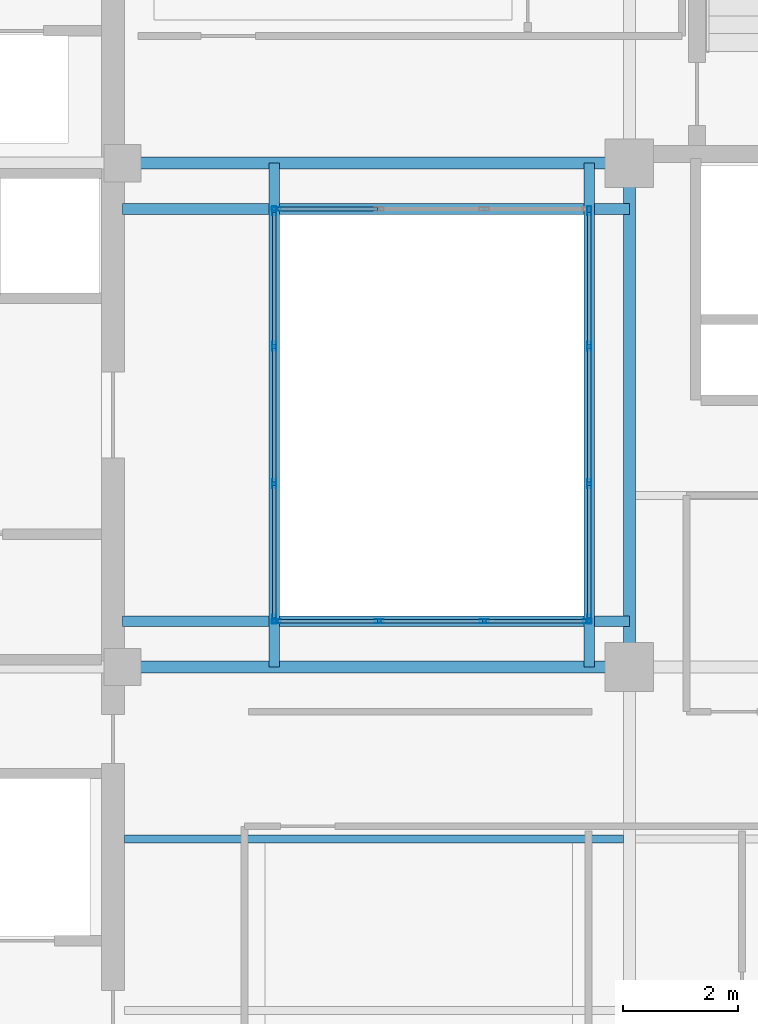
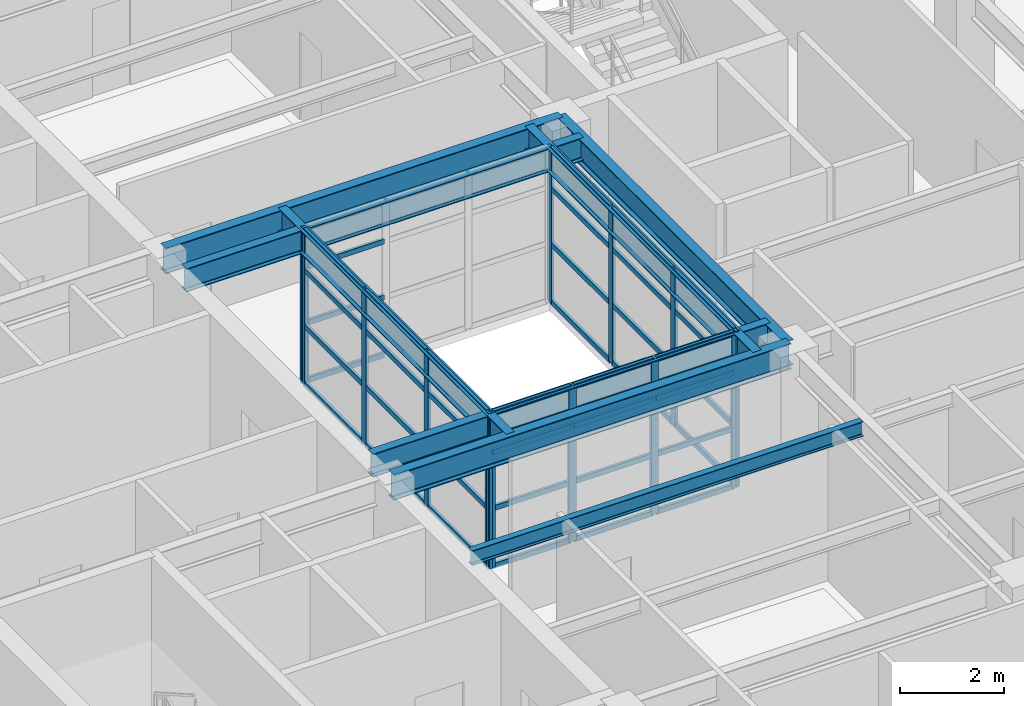
# One storey, part 2 of 15: 52 members, 8 beams, 4 elements without a shape of their own.
"""IFC4 building model written with IfcOpenShell, lengths in metres."""

from ifc_helpers import new_model, si_unit, direction, frame, origin, origin_2d, place, context, subcontext, project, spatial, hollow_rectangle, i_section, extrude, material, layer, layer_set, material_profile, profile_set, type_object, element, aggregate, save


model = new_model("IFC4")

# Units and contexts
model_context = context("Model", 3, precision=1e-05, world=origin(), true_north=direction((0.0, 1.0)))
body_context = subcontext(model_context, "Body", "Model", "MODEL_VIEW")
ifc_project = project(units=[si_unit("LENGTHUNIT", "METRE"), si_unit("AREAUNIT", "SQUARE_METRE"), si_unit("VOLUMEUNIT", "CUBIC_METRE"), si_unit("PLANEANGLEUNIT", "RADIAN"), si_unit("MASSUNIT", "GRAM", prefix="KILO")], contexts=[model_context])

# Site, building, storey
site_placement = place(None, origin())
site = spatial("IfcSite", under=ifc_project, at=site_placement, CompositionType="ELEMENT")
building_placement = place(site_placement, origin())
building = spatial("IfcBuilding", under=site, at=building_placement, Name="Kundavana Baori Tower", CompositionType="ELEMENT")
storey_placement = place(building_placement, frame((0.0, 0.0, 214.10009765625)))
storey = spatial("IfcBuildingStorey", under=building, at=storey_placement, Name="L52", CompositionType="ELEMENT", Elevation=214.10009765625)

# Beams
ifc_material_1 = material(Name="Structural Steel S355JR", Category="steel")
ifc_material_profile_1 = material_profile(ifc_material_1, i_section(OverallWidth=0.139892578125, OverallDepth=0.35009765625, WebThickness=0.008056640625, FlangeThickness=0.01416015625, FilletRadius=0.013916015625, at=origin_2d()), Name="ISMB 350")
ifc_profile_set_1 = profile_set([ifc_material_profile_1], Name="Structural Steel S355JR")
beam_type_1 = type_object("IfcBeamType", Name="BM-JST-350", PredefinedType="JOIST", material=ifc_profile_set_1)
beam_1_placement = place(storey_placement, frame((24.97998046875, 21.199951171875, 3.48486328125), z_axis=(1.0, 0.0, 0.0), x_axis=(0.0, 1.0, 0.0)))
element("IfcBeam", 1, at=beam_1_placement, inside=storey, type_object=beam_type_1, Name="L52 Central Bay Composite Floor Joist C2", PredefinedType="JOIST", context=body_context, shape_type="SweptSolid", body=[
    extrude(i_section(OverallWidth=0.139892578125, OverallDepth=0.35009765625, WebThickness=0.008056640625, FlangeThickness=0.01416015625, FilletRadius=0.013916015625, at=origin_2d()), origin(), (0.0, 0.0, 1.0), 8.715087890625),
])
ifc_material_2 = material(Name="Structural Steel S355JR", Category="steel")
ifc_material_profile_2 = material_profile(ifc_material_2, i_section(OverallWidth=0.18994140625, OverallDepth=0.550048828125, WebThickness=0.01123046875, FlangeThickness=0.019287109375, FilletRadius=0.01806640625, at=origin_2d()), Name="ISMB 550")
ifc_profile_set_2 = profile_set([ifc_material_profile_2], Name="Structural Steel S355JR")
beam_type_2 = type_object("IfcBeamType", Name="BM-ST-550", PredefinedType="BEAM", material=ifc_profile_set_2)
for number, where, z_axis, x_axis, name in (
    (2, (27.60009765625, 24.199951171875, 3.385009765625), (0.0, 1.0, 0.0), (-1.0, 0.0, 0.0), "L52 Atrium West Edge Beam"),
    (3, (33.10009765625, 24.199951171875, 3.385009765625), (0.0, 1.0, 0.0), (-1.0, 0.0, 0.0), "L52 Atrium East Edge Beam"),
):
    element("IfcBeam", number, at=place(storey_placement, frame(where, z_axis=z_axis, x_axis=x_axis)), inside=storey, type_object=beam_type_2, Name=name, PredefinedType="BEAM", context=body_context, shape_type="SweptSolid", body=[
        extrude(i_section(OverallWidth=0.18994140625, OverallDepth=0.550048828125, WebThickness=0.01123046875, FlangeThickness=0.019287109375, FilletRadius=0.01806640625, at=origin_2d()), origin(), (0.0, 0.0, 1.0), 8.800048828125),
    ])
for number, where, z_axis, x_axis, name in (
    (4, (24.949951171875, 25.0, 3.385009765625), (1.0, 0.0, 0.0), (0.0, 1.0, 0.0), "L52 Atrium South Edge Beam"),
    (5, (24.949951171875, 32.199951171875, 3.385009765625), (1.0, 0.0, 0.0), (0.0, 1.0, 0.0), "L52 Atrium North Edge Beam"),
):
    element("IfcBeam", number, at=place(storey_placement, frame(where, z_axis=z_axis, x_axis=x_axis)), inside=storey, type_object=beam_type_2, Name=name, PredefinedType="BEAM", context=body_context, shape_type="SweptSolid", body=[
        extrude(i_section(OverallWidth=0.18994140625, OverallDepth=0.550048828125, WebThickness=0.01123046875, FlangeThickness=0.019287109375, FilletRadius=0.01806640625, at=origin_2d()), origin(), (0.0, 0.0, 1.0), 8.85009765625),
    ])
ifc_material_3 = material(Name="Structural Steel S355JR", Category="steel")
ifc_material_profile_3 = material_profile(ifc_material_3, i_section(OverallWidth=0.2099609375, OverallDepth=0.60009765625, WebThickness=0.011962890625, FlangeThickness=0.020751953125, FilletRadius=0.02001953125, at=origin_2d()), Name="ISMB 600")
ifc_profile_set_3 = profile_set([ifc_material_profile_3], Name="Structural Steel S355JR")
beam_type_3 = type_object("IfcBeamType", Name="BM-ST-600", PredefinedType="BEAM", material=ifc_profile_set_3)
for number, where, z_axis, x_axis, name in (
    (6, (24.949951171875, 24.199951171875, 3.35986328125), (1.0, 0.0, 0.0), (0.0, 1.0, 0.0), "L52 Primary Grid Girder GX-2-2"),
    (7, (24.949951171875, 33.0, 3.35986328125), (1.0, 0.0, 0.0), (0.0, 1.0, 0.0), "L52 Primary Grid Girder GX-3-2"),
):
    element("IfcBeam", number, at=place(storey_placement, frame(where, z_axis=z_axis, x_axis=x_axis)), inside=storey, type_object=beam_type_3, Name=name, PredefinedType="BEAM", context=body_context, shape_type="SweptSolid", body=[
        extrude(i_section(OverallWidth=0.2099609375, OverallDepth=0.60009765625, WebThickness=0.011962890625, FlangeThickness=0.020751953125, FilletRadius=0.02001953125, at=origin_2d()), origin(), (0.0, 0.0, 1.0), 8.85009765625),
    ])
beam_2_placement = place(storey_placement, frame((33.800048828125, 24.199951171875, 3.35986328125), z_axis=(0.0, 1.0, 0.0), x_axis=(-1.0, 0.0, 0.0)))
element("IfcBeam", 8, at=beam_2_placement, inside=storey, type_object=beam_type_3, Name="L52 Primary Grid Girder GY-3-2", PredefinedType="BEAM", context=body_context, shape_type="SweptSolid", body=[
    extrude(i_section(OverallWidth=0.2099609375, OverallDepth=0.60009765625, WebThickness=0.011962890625, FlangeThickness=0.020751953125, FilletRadius=0.02001953125, at=origin_2d()), origin(), (0.0, 0.0, 1.0), 8.800048828125),
])

# Curtain wall, members
ifc_material_4 = material(Name="Thermally Broken Anodised Aluminium Framing", Category="aluminium")
ifc_layer = layer(ifc_material_4, 0.219970703125, Name="CW-SYS-5")
ifc_layer_set = layer_set([ifc_layer], Name="Thermally Broken Anodised Aluminium Framing")
curtain_wall_type = type_object("IfcCurtainWallType", Name="CW-SYS-5", PredefinedType="NOTDEFINED", material=ifc_layer_set)
curtain_wall_1_placement = place(storey_placement, origin())
curtain_wall_1 = element("IfcCurtainWall", 9, at=curtain_wall_1_placement, inside=storey, type_object=curtain_wall_type, Name="L52 Atrium Glazed Curtain Wall S", PredefinedType="NOTDEFINED")
ifc_material_5 = material(Name="Thermally Broken Anodised Aluminium Framing", Category="aluminium")
ifc_material_profile_4 = material_profile(ifc_material_5, hollow_rectangle(XDim=0.06494140625, YDim=0.159912109375, WallThickness=0.00390625, at=origin_2d()), Name="CW-MULL-160")
ifc_profile_set_4 = profile_set([ifc_material_profile_4], Name="Thermally Broken Anodised Aluminium Framing")
member_type_1 = type_object("IfcMemberType", Name="CW-MULL-160", PredefinedType="MULLION", material=ifc_profile_set_4)
member_1_placement = place(storey_placement, frame((27.632568359375, 25.0, 0.0), z_axis=(0.0, 0.0, 1.0), x_axis=(0.0, 1.0, 0.0)))
member_1 = element("IfcMember", 10, at=member_1_placement, type_object=member_type_1, Name="CW5 mullion 1", PredefinedType="MULLION", context=body_context, shape_type="SweptSolid", body=[
    extrude(hollow_rectangle(XDim=0.06494140625, YDim=0.159912109375, WallThickness=0.00390625, at=origin_2d()), origin(), (0.0, 0.0, 1.0), 3.659912109375),
])
member_2_placement = place(storey_placement, frame((29.433349609375, 25.0, 0.0), z_axis=(0.0, 0.0, 1.0), x_axis=(0.0, 1.0, 0.0)))
member_2 = element("IfcMember", 11, at=member_2_placement, type_object=member_type_1, Name="CW5 mullion 2", PredefinedType="MULLION", context=body_context, shape_type="SweptSolid", body=[
    extrude(hollow_rectangle(XDim=0.06494140625, YDim=0.159912109375, WallThickness=0.00390625, at=origin_2d()), origin(), (0.0, 0.0, 1.0), 3.659912109375),
])
member_3_placement = place(storey_placement, frame((31.2666015625, 25.0, 0.0), z_axis=(0.0, 0.0, 1.0), x_axis=(0.0, 1.0, 0.0)))
member_3 = element("IfcMember", 12, at=member_3_placement, type_object=member_type_1, Name="CW5 mullion 3", PredefinedType="MULLION", context=body_context, shape_type="SweptSolid", body=[
    extrude(hollow_rectangle(XDim=0.06494140625, YDim=0.159912109375, WallThickness=0.00390625, at=origin_2d()), origin(), (0.0, 0.0, 1.0), 3.659912109375),
])
member_4_placement = place(storey_placement, frame((33.0673828125, 25.0, 0.0), z_axis=(0.0, 0.0, 1.0), x_axis=(0.0, 1.0, 0.0)))
member_4 = element("IfcMember", 13, at=member_4_placement, type_object=member_type_1, Name="CW5 mullion 4", PredefinedType="MULLION", context=body_context, shape_type="SweptSolid", body=[
    extrude(hollow_rectangle(XDim=0.06494140625, YDim=0.159912109375, WallThickness=0.00390625, at=origin_2d()), origin(), (0.0, 0.0, 1.0), 3.659912109375),
])

curtain_wall_2_placement = place(storey_placement, origin())
curtain_wall_2 = element("IfcCurtainWall", 14, at=curtain_wall_2_placement, inside=storey, type_object=curtain_wall_type, Name="L52 Atrium Glazed Curtain Wall E", PredefinedType="NOTDEFINED")
member_5_placement = place(storey_placement, frame((33.10009765625, 25.032470703125, 0.0), z_axis=(0.0, 0.0, 1.0), x_axis=(-1.0, 0.0, 0.0)))
member_5 = element("IfcMember", 15, at=member_5_placement, type_object=member_type_1, Name="CW5 mullion 1", PredefinedType="MULLION", context=body_context, shape_type="SweptSolid", body=[
    extrude(hollow_rectangle(XDim=0.06494140625, YDim=0.159912109375, WallThickness=0.00390625, at=origin_2d()), origin(), (0.0, 0.0, 1.0), 3.659912109375),
])
member_6_placement = place(storey_placement, frame((33.10009765625, 27.39990234375, 0.0), z_axis=(0.0, 0.0, 1.0), x_axis=(-1.0, 0.0, 0.0)))
member_6 = element("IfcMember", 16, at=member_6_placement, type_object=member_type_1, Name="CW5 mullion 2", PredefinedType="MULLION", context=body_context, shape_type="SweptSolid", body=[
    extrude(hollow_rectangle(XDim=0.06494140625, YDim=0.159912109375, WallThickness=0.00390625, at=origin_2d()), origin(), (0.0, 0.0, 1.0), 3.659912109375),
])
member_7_placement = place(storey_placement, frame((33.10009765625, 29.800048828125, 0.0), z_axis=(0.0, 0.0, 1.0), x_axis=(-1.0, 0.0, 0.0)))
member_7 = element("IfcMember", 17, at=member_7_placement, type_object=member_type_1, Name="CW5 mullion 3", PredefinedType="MULLION", context=body_context, shape_type="SweptSolid", body=[
    extrude(hollow_rectangle(XDim=0.06494140625, YDim=0.159912109375, WallThickness=0.00390625, at=origin_2d()), origin(), (0.0, 0.0, 1.0), 3.659912109375),
])
member_8_placement = place(storey_placement, frame((33.10009765625, 32.16748046875, 0.0), z_axis=(0.0, 0.0, 1.0), x_axis=(-1.0, 0.0, 0.0)))
member_8 = element("IfcMember", 18, at=member_8_placement, type_object=member_type_1, Name="CW5 mullion 4", PredefinedType="MULLION", context=body_context, shape_type="SweptSolid", body=[
    extrude(hollow_rectangle(XDim=0.06494140625, YDim=0.159912109375, WallThickness=0.00390625, at=origin_2d()), origin(), (0.0, 0.0, 1.0), 3.659912109375),
])

# Curtain wall, member
curtain_wall_3_placement = place(storey_placement, origin())
curtain_wall_3 = element("IfcCurtainWall", 19, at=curtain_wall_3_placement, inside=storey, type_object=curtain_wall_type, Name="L52 Atrium Glazed Curtain Wall N", PredefinedType="NOTDEFINED")
member_9_placement = place(storey_placement, frame((27.632568359375, 32.199951171875, 0.0), z_axis=(0.0, 0.0, 1.0), x_axis=(0.0, -1.0, 0.0)))
member_9 = element("IfcMember", 20, at=member_9_placement, type_object=member_type_1, Name="CW5 mullion 4", PredefinedType="MULLION", context=body_context, shape_type="SweptSolid", body=[
    extrude(hollow_rectangle(XDim=0.06494140625, YDim=0.159912109375, WallThickness=0.00390625, at=origin_2d()), origin(), (0.0, 0.0, 1.0), 3.659912109375),
])

# Curtain wall, members
curtain_wall_4_placement = place(storey_placement, origin())
curtain_wall_4 = element("IfcCurtainWall", 21, at=curtain_wall_4_placement, inside=storey, type_object=curtain_wall_type, Name="L52 Atrium Glazed Curtain Wall W", PredefinedType="NOTDEFINED")
member_10_placement = place(storey_placement, frame((27.60009765625, 32.16748046875, 0.0), z_axis=(0.0, 0.0, 1.0), x_axis=(1.0, 0.0, 0.0)))
member_10 = element("IfcMember", 22, at=member_10_placement, type_object=member_type_1, Name="CW5 mullion 1", PredefinedType="MULLION", context=body_context, shape_type="SweptSolid", body=[
    extrude(hollow_rectangle(XDim=0.06494140625, YDim=0.159912109375, WallThickness=0.00390625, at=origin_2d()), origin(), (0.0, 0.0, 1.0), 3.659912109375),
])
member_11_placement = place(storey_placement, frame((27.60009765625, 29.800048828125, 0.0), z_axis=(0.0, 0.0, 1.0), x_axis=(1.0, 0.0, 0.0)))
member_11 = element("IfcMember", 23, at=member_11_placement, type_object=member_type_1, Name="CW5 mullion 2", PredefinedType="MULLION", context=body_context, shape_type="SweptSolid", body=[
    extrude(hollow_rectangle(XDim=0.06494140625, YDim=0.159912109375, WallThickness=0.00390625, at=origin_2d()), origin(), (0.0, 0.0, 1.0), 3.659912109375),
])
member_12_placement = place(storey_placement, frame((27.60009765625, 27.39990234375, 0.0), z_axis=(0.0, 0.0, 1.0), x_axis=(1.0, 0.0, 0.0)))
member_12 = element("IfcMember", 24, at=member_12_placement, type_object=member_type_1, Name="CW5 mullion 3", PredefinedType="MULLION", context=body_context, shape_type="SweptSolid", body=[
    extrude(hollow_rectangle(XDim=0.06494140625, YDim=0.159912109375, WallThickness=0.00390625, at=origin_2d()), origin(), (0.0, 0.0, 1.0), 3.659912109375),
])
member_13_placement = place(storey_placement, frame((27.60009765625, 25.032470703125, 0.0), z_axis=(0.0, 0.0, 1.0), x_axis=(1.0, 0.0, 0.0)))
member_13 = element("IfcMember", 25, at=member_13_placement, type_object=member_type_1, Name="CW5 mullion 4", PredefinedType="MULLION", context=body_context, shape_type="SweptSolid", body=[
    extrude(hollow_rectangle(XDim=0.06494140625, YDim=0.159912109375, WallThickness=0.00390625, at=origin_2d()), origin(), (0.0, 0.0, 1.0), 3.659912109375),
])

# Member
ifc_material_6 = material(Name="Thermally Broken Anodised Aluminium Framing", Category="aluminium")
ifc_material_profile_5 = material_profile(ifc_material_6, hollow_rectangle(XDim=0.06494140625, YDim=0.1201171875, WallThickness=0.00390625, at=origin_2d()), Name="CW-TRAN-120")
ifc_profile_set_5 = profile_set([ifc_material_profile_5], Name="Thermally Broken Anodised Aluminium Framing")
member_type_2 = type_object("IfcMemberType", Name="CW-TRAN-120", PredefinedType="USERDEFINED", material=ifc_profile_set_5)
member_14_placement = place(storey_placement, frame((27.6650390625, 25.0, 0.032470703125), z_axis=(1.0, 0.0, 0.0), x_axis=(0.0, 1.0, 0.0)))
member_14 = element("IfcMember", 26, at=member_14_placement, type_object=member_type_2, Name="CW5 transom 1.1", ObjectType="TRANSOM", PredefinedType="USERDEFINED", context=body_context, shape_type="SweptSolid", body=[
    extrude(hollow_rectangle(XDim=0.06494140625, YDim=0.1201171875, WallThickness=0.00390625, at=origin_2d()), origin(), (0.0, 0.0, 1.0), 1.73583984375),
])

member_15_placement = place(storey_placement, frame((27.6650390625, 25.0, 1.390625), z_axis=(1.0, 0.0, 0.0), x_axis=(0.0, 1.0, 0.0)))
member_15 = element("IfcMember", 27, at=member_15_placement, type_object=member_type_2, Name="CW5 transom 1.2", ObjectType="TRANSOM", PredefinedType="USERDEFINED", context=body_context, shape_type="SweptSolid", body=[
    extrude(hollow_rectangle(XDim=0.06494140625, YDim=0.1201171875, WallThickness=0.00390625, at=origin_2d()), origin(), (0.0, 0.0, 1.0), 1.73583984375),
])

member_16_placement = place(storey_placement, frame((27.6650390625, 25.0, 2.708251953125), z_axis=(1.0, 0.0, 0.0), x_axis=(0.0, 1.0, 0.0)))
member_16 = element("IfcMember", 28, at=member_16_placement, type_object=member_type_2, Name="CW5 transom 1.3", ObjectType="TRANSOM", PredefinedType="USERDEFINED", context=body_context, shape_type="SweptSolid", body=[
    extrude(hollow_rectangle(XDim=0.06494140625, YDim=0.1201171875, WallThickness=0.00390625, at=origin_2d()), origin(), (0.0, 0.0, 1.0), 1.73583984375),
])

member_17_placement = place(storey_placement, frame((27.6650390625, 25.0, 3.62744140625), z_axis=(1.0, 0.0, 0.0), x_axis=(0.0, 1.0, 0.0)))
member_17 = element("IfcMember", 29, at=member_17_placement, type_object=member_type_2, Name="CW5 transom 1.4", ObjectType="TRANSOM", PredefinedType="USERDEFINED", context=body_context, shape_type="SweptSolid", body=[
    extrude(hollow_rectangle(XDim=0.06494140625, YDim=0.1201171875, WallThickness=0.00390625, at=origin_2d()), origin(), (0.0, 0.0, 1.0), 1.73583984375),
])

member_18_placement = place(storey_placement, frame((29.4658203125, 25.0, 0.032470703125), z_axis=(1.0, 0.0, 0.0), x_axis=(0.0, 1.0, 0.0)))
member_18 = element("IfcMember", 30, at=member_18_placement, type_object=member_type_2, Name="CW5 transom 2.1", ObjectType="TRANSOM", PredefinedType="USERDEFINED", context=body_context, shape_type="SweptSolid", body=[
    extrude(hollow_rectangle(XDim=0.06494140625, YDim=0.1201171875, WallThickness=0.00390625, at=origin_2d()), origin(), (0.0, 0.0, 1.0), 1.768310546875),
])

member_19_placement = place(storey_placement, frame((29.4658203125, 25.0, 1.390625), z_axis=(1.0, 0.0, 0.0), x_axis=(0.0, 1.0, 0.0)))
member_19 = element("IfcMember", 31, at=member_19_placement, type_object=member_type_2, Name="CW5 transom 2.2", ObjectType="TRANSOM", PredefinedType="USERDEFINED", context=body_context, shape_type="SweptSolid", body=[
    extrude(hollow_rectangle(XDim=0.06494140625, YDim=0.1201171875, WallThickness=0.00390625, at=origin_2d()), origin(), (0.0, 0.0, 1.0), 1.768310546875),
])

member_20_placement = place(storey_placement, frame((29.4658203125, 25.0, 2.708251953125), z_axis=(1.0, 0.0, 0.0), x_axis=(0.0, 1.0, 0.0)))
member_20 = element("IfcMember", 32, at=member_20_placement, type_object=member_type_2, Name="CW5 transom 2.3", ObjectType="TRANSOM", PredefinedType="USERDEFINED", context=body_context, shape_type="SweptSolid", body=[
    extrude(hollow_rectangle(XDim=0.06494140625, YDim=0.1201171875, WallThickness=0.00390625, at=origin_2d()), origin(), (0.0, 0.0, 1.0), 1.768310546875),
])

member_21_placement = place(storey_placement, frame((29.4658203125, 25.0, 3.62744140625), z_axis=(1.0, 0.0, 0.0), x_axis=(0.0, 1.0, 0.0)))
member_21 = element("IfcMember", 33, at=member_21_placement, type_object=member_type_2, Name="CW5 transom 2.4", ObjectType="TRANSOM", PredefinedType="USERDEFINED", context=body_context, shape_type="SweptSolid", body=[
    extrude(hollow_rectangle(XDim=0.06494140625, YDim=0.1201171875, WallThickness=0.00390625, at=origin_2d()), origin(), (0.0, 0.0, 1.0), 1.768310546875),
])

member_22_placement = place(storey_placement, frame((31.299072265625, 25.0, 0.032470703125), z_axis=(1.0, 0.0, 0.0), x_axis=(0.0, 1.0, 0.0)))
member_22 = element("IfcMember", 34, at=member_22_placement, type_object=member_type_2, Name="CW5 transom 3.1", ObjectType="TRANSOM", PredefinedType="USERDEFINED", context=body_context, shape_type="SweptSolid", body=[
    extrude(hollow_rectangle(XDim=0.06494140625, YDim=0.1201171875, WallThickness=0.00390625, at=origin_2d()), origin(), (0.0, 0.0, 1.0), 1.73583984375),
])

member_23_placement = place(storey_placement, frame((31.299072265625, 25.0, 1.390625), z_axis=(1.0, 0.0, 0.0), x_axis=(0.0, 1.0, 0.0)))
member_23 = element("IfcMember", 35, at=member_23_placement, type_object=member_type_2, Name="CW5 transom 3.2", ObjectType="TRANSOM", PredefinedType="USERDEFINED", context=body_context, shape_type="SweptSolid", body=[
    extrude(hollow_rectangle(XDim=0.06494140625, YDim=0.1201171875, WallThickness=0.00390625, at=origin_2d()), origin(), (0.0, 0.0, 1.0), 1.73583984375),
])

member_24_placement = place(storey_placement, frame((31.299072265625, 25.0, 2.708251953125), z_axis=(1.0, 0.0, 0.0), x_axis=(0.0, 1.0, 0.0)))
member_24 = element("IfcMember", 36, at=member_24_placement, type_object=member_type_2, Name="CW5 transom 3.3", ObjectType="TRANSOM", PredefinedType="USERDEFINED", context=body_context, shape_type="SweptSolid", body=[
    extrude(hollow_rectangle(XDim=0.06494140625, YDim=0.1201171875, WallThickness=0.00390625, at=origin_2d()), origin(), (0.0, 0.0, 1.0), 1.73583984375),
])

member_25_placement = place(storey_placement, frame((31.299072265625, 25.0, 3.62744140625), z_axis=(1.0, 0.0, 0.0), x_axis=(0.0, 1.0, 0.0)))
member_25 = element("IfcMember", 37, at=member_25_placement, type_object=member_type_2, Name="CW5 transom 3.4", ObjectType="TRANSOM", PredefinedType="USERDEFINED", context=body_context, shape_type="SweptSolid", body=[
    extrude(hollow_rectangle(XDim=0.06494140625, YDim=0.1201171875, WallThickness=0.00390625, at=origin_2d()), origin(), (0.0, 0.0, 1.0), 1.73583984375),
])

aggregate(curtain_wall_1, [member_1, member_2, member_3, member_4, member_14, member_15, member_16, member_17, member_18, member_19, member_20, member_21, member_22, member_23, member_24, member_25])

member_26_placement = place(storey_placement, frame((33.10009765625, 25.06494140625, 0.032470703125), z_axis=(0.0, 1.0, 0.0), x_axis=(-1.0, 0.0, 0.0)))
member_26 = element("IfcMember", 38, at=member_26_placement, type_object=member_type_2, Name="CW5 transom 1.1", ObjectType="TRANSOM", PredefinedType="USERDEFINED", context=body_context, shape_type="SweptSolid", body=[
    extrude(hollow_rectangle(XDim=0.06494140625, YDim=0.1201171875, WallThickness=0.00390625, at=origin_2d()), origin(), (0.0, 0.0, 1.0), 2.302490234375),
])

member_27_placement = place(storey_placement, frame((33.10009765625, 25.06494140625, 1.390625), z_axis=(0.0, 1.0, 0.0), x_axis=(-1.0, 0.0, 0.0)))
member_27 = element("IfcMember", 39, at=member_27_placement, type_object=member_type_2, Name="CW5 transom 1.2", ObjectType="TRANSOM", PredefinedType="USERDEFINED", context=body_context, shape_type="SweptSolid", body=[
    extrude(hollow_rectangle(XDim=0.06494140625, YDim=0.1201171875, WallThickness=0.00390625, at=origin_2d()), origin(), (0.0, 0.0, 1.0), 2.302490234375),
])

member_28_placement = place(storey_placement, frame((33.10009765625, 25.06494140625, 2.708251953125), z_axis=(0.0, 1.0, 0.0), x_axis=(-1.0, 0.0, 0.0)))
member_28 = element("IfcMember", 40, at=member_28_placement, type_object=member_type_2, Name="CW5 transom 1.3", ObjectType="TRANSOM", PredefinedType="USERDEFINED", context=body_context, shape_type="SweptSolid", body=[
    extrude(hollow_rectangle(XDim=0.06494140625, YDim=0.1201171875, WallThickness=0.00390625, at=origin_2d()), origin(), (0.0, 0.0, 1.0), 2.302490234375),
])

member_29_placement = place(storey_placement, frame((33.10009765625, 25.06494140625, 3.62744140625), z_axis=(0.0, 1.0, 0.0), x_axis=(-1.0, 0.0, 0.0)))
member_29 = element("IfcMember", 41, at=member_29_placement, type_object=member_type_2, Name="CW5 transom 1.4", ObjectType="TRANSOM", PredefinedType="USERDEFINED", context=body_context, shape_type="SweptSolid", body=[
    extrude(hollow_rectangle(XDim=0.06494140625, YDim=0.1201171875, WallThickness=0.00390625, at=origin_2d()), origin(), (0.0, 0.0, 1.0), 2.302490234375),
])

member_30_placement = place(storey_placement, frame((33.10009765625, 27.4326171875, 0.032470703125), z_axis=(0.0, 1.0, 0.0), x_axis=(-1.0, 0.0, 0.0)))
member_30 = element("IfcMember", 42, at=member_30_placement, type_object=member_type_2, Name="CW5 transom 2.1", ObjectType="TRANSOM", PredefinedType="USERDEFINED", context=body_context, shape_type="SweptSolid", body=[
    extrude(hollow_rectangle(XDim=0.06494140625, YDim=0.1201171875, WallThickness=0.00390625, at=origin_2d()), origin(), (0.0, 0.0, 1.0), 2.3349609375),
])

member_31_placement = place(storey_placement, frame((33.10009765625, 27.4326171875, 1.390625), z_axis=(0.0, 1.0, 0.0), x_axis=(-1.0, 0.0, 0.0)))
member_31 = element("IfcMember", 43, at=member_31_placement, type_object=member_type_2, Name="CW5 transom 2.2", ObjectType="TRANSOM", PredefinedType="USERDEFINED", context=body_context, shape_type="SweptSolid", body=[
    extrude(hollow_rectangle(XDim=0.06494140625, YDim=0.1201171875, WallThickness=0.00390625, at=origin_2d()), origin(), (0.0, 0.0, 1.0), 2.3349609375),
])

member_32_placement = place(storey_placement, frame((33.10009765625, 27.4326171875, 2.708251953125), z_axis=(0.0, 1.0, 0.0), x_axis=(-1.0, 0.0, 0.0)))
member_32 = element("IfcMember", 44, at=member_32_placement, type_object=member_type_2, Name="CW5 transom 2.3", ObjectType="TRANSOM", PredefinedType="USERDEFINED", context=body_context, shape_type="SweptSolid", body=[
    extrude(hollow_rectangle(XDim=0.06494140625, YDim=0.1201171875, WallThickness=0.00390625, at=origin_2d()), origin(), (0.0, 0.0, 1.0), 2.3349609375),
])

member_33_placement = place(storey_placement, frame((33.10009765625, 27.4326171875, 3.62744140625), z_axis=(0.0, 1.0, 0.0), x_axis=(-1.0, 0.0, 0.0)))
member_33 = element("IfcMember", 45, at=member_33_placement, type_object=member_type_2, Name="CW5 transom 2.4", ObjectType="TRANSOM", PredefinedType="USERDEFINED", context=body_context, shape_type="SweptSolid", body=[
    extrude(hollow_rectangle(XDim=0.06494140625, YDim=0.1201171875, WallThickness=0.00390625, at=origin_2d()), origin(), (0.0, 0.0, 1.0), 2.3349609375),
])

member_34_placement = place(storey_placement, frame((33.10009765625, 29.83251953125, 0.032470703125), z_axis=(0.0, 1.0, 0.0), x_axis=(-1.0, 0.0, 0.0)))
member_34 = element("IfcMember", 46, at=member_34_placement, type_object=member_type_2, Name="CW5 transom 3.1", ObjectType="TRANSOM", PredefinedType="USERDEFINED", context=body_context, shape_type="SweptSolid", body=[
    extrude(hollow_rectangle(XDim=0.06494140625, YDim=0.1201171875, WallThickness=0.00390625, at=origin_2d()), origin(), (0.0, 0.0, 1.0), 2.302490234375),
])

member_35_placement = place(storey_placement, frame((33.10009765625, 29.83251953125, 1.390625), z_axis=(0.0, 1.0, 0.0), x_axis=(-1.0, 0.0, 0.0)))
member_35 = element("IfcMember", 47, at=member_35_placement, type_object=member_type_2, Name="CW5 transom 3.2", ObjectType="TRANSOM", PredefinedType="USERDEFINED", context=body_context, shape_type="SweptSolid", body=[
    extrude(hollow_rectangle(XDim=0.06494140625, YDim=0.1201171875, WallThickness=0.00390625, at=origin_2d()), origin(), (0.0, 0.0, 1.0), 2.302490234375),
])

member_36_placement = place(storey_placement, frame((33.10009765625, 29.83251953125, 2.708251953125), z_axis=(0.0, 1.0, 0.0), x_axis=(-1.0, 0.0, 0.0)))
member_36 = element("IfcMember", 48, at=member_36_placement, type_object=member_type_2, Name="CW5 transom 3.3", ObjectType="TRANSOM", PredefinedType="USERDEFINED", context=body_context, shape_type="SweptSolid", body=[
    extrude(hollow_rectangle(XDim=0.06494140625, YDim=0.1201171875, WallThickness=0.00390625, at=origin_2d()), origin(), (0.0, 0.0, 1.0), 2.302490234375),
])

member_37_placement = place(storey_placement, frame((33.10009765625, 29.83251953125, 3.62744140625), z_axis=(0.0, 1.0, 0.0), x_axis=(-1.0, 0.0, 0.0)))
member_37 = element("IfcMember", 49, at=member_37_placement, type_object=member_type_2, Name="CW5 transom 3.4", ObjectType="TRANSOM", PredefinedType="USERDEFINED", context=body_context, shape_type="SweptSolid", body=[
    extrude(hollow_rectangle(XDim=0.06494140625, YDim=0.1201171875, WallThickness=0.00390625, at=origin_2d()), origin(), (0.0, 0.0, 1.0), 2.302490234375),
])

aggregate(curtain_wall_2, [member_5, member_6, member_7, member_8, member_26, member_27, member_28, member_29, member_30, member_31, member_32, member_33, member_34, member_35, member_36, member_37])

member_38_placement = place(storey_placement, frame((29.40087890625, 32.199951171875, 0.032470703125), z_axis=(-1.0, 0.0, 0.0), x_axis=(0.0, -1.0, 0.0)))
member_38 = element("IfcMember", 50, at=member_38_placement, type_object=member_type_2, Name="CW5 transom 3.1", ObjectType="TRANSOM", PredefinedType="USERDEFINED", context=body_context, shape_type="SweptSolid", body=[
    extrude(hollow_rectangle(XDim=0.06494140625, YDim=0.1201171875, WallThickness=0.00390625, at=origin_2d()), origin(), (0.0, 0.0, 1.0), 1.73583984375),
])

member_39_placement = place(storey_placement, frame((29.40087890625, 32.199951171875, 1.390625), z_axis=(-1.0, 0.0, 0.0), x_axis=(0.0, -1.0, 0.0)))
member_39 = element("IfcMember", 51, at=member_39_placement, type_object=member_type_2, Name="CW5 transom 3.2", ObjectType="TRANSOM", PredefinedType="USERDEFINED", context=body_context, shape_type="SweptSolid", body=[
    extrude(hollow_rectangle(XDim=0.06494140625, YDim=0.1201171875, WallThickness=0.00390625, at=origin_2d()), origin(), (0.0, 0.0, 1.0), 1.73583984375),
])

member_40_placement = place(storey_placement, frame((29.40087890625, 32.199951171875, 2.708251953125), z_axis=(-1.0, 0.0, 0.0), x_axis=(0.0, -1.0, 0.0)))
member_40 = element("IfcMember", 52, at=member_40_placement, type_object=member_type_2, Name="CW5 transom 3.3", ObjectType="TRANSOM", PredefinedType="USERDEFINED", context=body_context, shape_type="SweptSolid", body=[
    extrude(hollow_rectangle(XDim=0.06494140625, YDim=0.1201171875, WallThickness=0.00390625, at=origin_2d()), origin(), (0.0, 0.0, 1.0), 1.73583984375),
])

aggregate(curtain_wall_3, [member_9, member_38, member_39, member_40])

member_41_placement = place(storey_placement, frame((27.60009765625, 32.135009765625, 0.032470703125), z_axis=(0.0, -1.0, 0.0), x_axis=(1.0, 0.0, 0.0)))
member_41 = element("IfcMember", 53, at=member_41_placement, type_object=member_type_2, Name="CW5 transom 1.1", ObjectType="TRANSOM", PredefinedType="USERDEFINED", context=body_context, shape_type="SweptSolid", body=[
    extrude(hollow_rectangle(XDim=0.06494140625, YDim=0.1201171875, WallThickness=0.00390625, at=origin_2d()), origin(), (0.0, 0.0, 1.0), 2.302490234375),
])

member_42_placement = place(storey_placement, frame((27.60009765625, 32.135009765625, 1.390625), z_axis=(0.0, -1.0, 0.0), x_axis=(1.0, 0.0, 0.0)))
member_42 = element("IfcMember", 54, at=member_42_placement, type_object=member_type_2, Name="CW5 transom 1.2", ObjectType="TRANSOM", PredefinedType="USERDEFINED", context=body_context, shape_type="SweptSolid", body=[
    extrude(hollow_rectangle(XDim=0.06494140625, YDim=0.1201171875, WallThickness=0.00390625, at=origin_2d()), origin(), (0.0, 0.0, 1.0), 2.302490234375),
])

member_43_placement = place(storey_placement, frame((27.60009765625, 32.135009765625, 2.708251953125), z_axis=(0.0, -1.0, 0.0), x_axis=(1.0, 0.0, 0.0)))
member_43 = element("IfcMember", 55, at=member_43_placement, type_object=member_type_2, Name="CW5 transom 1.3", ObjectType="TRANSOM", PredefinedType="USERDEFINED", context=body_context, shape_type="SweptSolid", body=[
    extrude(hollow_rectangle(XDim=0.06494140625, YDim=0.1201171875, WallThickness=0.00390625, at=origin_2d()), origin(), (0.0, 0.0, 1.0), 2.302490234375),
])

member_44_placement = place(storey_placement, frame((27.60009765625, 32.135009765625, 3.62744140625), z_axis=(0.0, -1.0, 0.0), x_axis=(1.0, 0.0, 0.0)))
member_44 = element("IfcMember", 56, at=member_44_placement, type_object=member_type_2, Name="CW5 transom 1.4", ObjectType="TRANSOM", PredefinedType="USERDEFINED", context=body_context, shape_type="SweptSolid", body=[
    extrude(hollow_rectangle(XDim=0.06494140625, YDim=0.1201171875, WallThickness=0.00390625, at=origin_2d()), origin(), (0.0, 0.0, 1.0), 2.302490234375),
])

member_45_placement = place(storey_placement, frame((27.60009765625, 29.767578125, 0.032470703125), z_axis=(0.0, -1.0, 0.0), x_axis=(1.0, 0.0, 0.0)))
member_45 = element("IfcMember", 57, at=member_45_placement, type_object=member_type_2, Name="CW5 transom 2.1", ObjectType="TRANSOM", PredefinedType="USERDEFINED", context=body_context, shape_type="SweptSolid", body=[
    extrude(hollow_rectangle(XDim=0.06494140625, YDim=0.1201171875, WallThickness=0.00390625, at=origin_2d()), origin(), (0.0, 0.0, 1.0), 2.3349609375),
])

member_46_placement = place(storey_placement, frame((27.60009765625, 29.767578125, 1.390625), z_axis=(0.0, -1.0, 0.0), x_axis=(1.0, 0.0, 0.0)))
member_46 = element("IfcMember", 58, at=member_46_placement, type_object=member_type_2, Name="CW5 transom 2.2", ObjectType="TRANSOM", PredefinedType="USERDEFINED", context=body_context, shape_type="SweptSolid", body=[
    extrude(hollow_rectangle(XDim=0.06494140625, YDim=0.1201171875, WallThickness=0.00390625, at=origin_2d()), origin(), (0.0, 0.0, 1.0), 2.3349609375),
])

member_47_placement = place(storey_placement, frame((27.60009765625, 29.767578125, 2.708251953125), z_axis=(0.0, -1.0, 0.0), x_axis=(1.0, 0.0, 0.0)))
member_47 = element("IfcMember", 59, at=member_47_placement, type_object=member_type_2, Name="CW5 transom 2.3", ObjectType="TRANSOM", PredefinedType="USERDEFINED", context=body_context, shape_type="SweptSolid", body=[
    extrude(hollow_rectangle(XDim=0.06494140625, YDim=0.1201171875, WallThickness=0.00390625, at=origin_2d()), origin(), (0.0, 0.0, 1.0), 2.3349609375),
])

member_48_placement = place(storey_placement, frame((27.60009765625, 29.767578125, 3.62744140625), z_axis=(0.0, -1.0, 0.0), x_axis=(1.0, 0.0, 0.0)))
member_48 = element("IfcMember", 60, at=member_48_placement, type_object=member_type_2, Name="CW5 transom 2.4", ObjectType="TRANSOM", PredefinedType="USERDEFINED", context=body_context, shape_type="SweptSolid", body=[
    extrude(hollow_rectangle(XDim=0.06494140625, YDim=0.1201171875, WallThickness=0.00390625, at=origin_2d()), origin(), (0.0, 0.0, 1.0), 2.3349609375),
])

member_49_placement = place(storey_placement, frame((27.60009765625, 27.367431640625, 0.032470703125), z_axis=(0.0, -1.0, 0.0), x_axis=(1.0, 0.0, 0.0)))
member_49 = element("IfcMember", 61, at=member_49_placement, type_object=member_type_2, Name="CW5 transom 3.1", ObjectType="TRANSOM", PredefinedType="USERDEFINED", context=body_context, shape_type="SweptSolid", body=[
    extrude(hollow_rectangle(XDim=0.06494140625, YDim=0.1201171875, WallThickness=0.00390625, at=origin_2d()), origin(), (0.0, 0.0, 1.0), 2.302490234375),
])

member_50_placement = place(storey_placement, frame((27.60009765625, 27.367431640625, 1.390625), z_axis=(0.0, -1.0, 0.0), x_axis=(1.0, 0.0, 0.0)))
member_50 = element("IfcMember", 62, at=member_50_placement, type_object=member_type_2, Name="CW5 transom 3.2", ObjectType="TRANSOM", PredefinedType="USERDEFINED", context=body_context, shape_type="SweptSolid", body=[
    extrude(hollow_rectangle(XDim=0.06494140625, YDim=0.1201171875, WallThickness=0.00390625, at=origin_2d()), origin(), (0.0, 0.0, 1.0), 2.302490234375),
])

member_51_placement = place(storey_placement, frame((27.60009765625, 27.367431640625, 2.708251953125), z_axis=(0.0, -1.0, 0.0), x_axis=(1.0, 0.0, 0.0)))
member_51 = element("IfcMember", 63, at=member_51_placement, type_object=member_type_2, Name="CW5 transom 3.3", ObjectType="TRANSOM", PredefinedType="USERDEFINED", context=body_context, shape_type="SweptSolid", body=[
    extrude(hollow_rectangle(XDim=0.06494140625, YDim=0.1201171875, WallThickness=0.00390625, at=origin_2d()), origin(), (0.0, 0.0, 1.0), 2.302490234375),
])

member_52_placement = place(storey_placement, frame((27.60009765625, 27.367431640625, 3.62744140625), z_axis=(0.0, -1.0, 0.0), x_axis=(1.0, 0.0, 0.0)))
member_52 = element("IfcMember", 64, at=member_52_placement, type_object=member_type_2, Name="CW5 transom 3.4", ObjectType="TRANSOM", PredefinedType="USERDEFINED", context=body_context, shape_type="SweptSolid", body=[
    extrude(hollow_rectangle(XDim=0.06494140625, YDim=0.1201171875, WallThickness=0.00390625, at=origin_2d()), origin(), (0.0, 0.0, 1.0), 2.302490234375),
])

aggregate(curtain_wall_4, [member_10, member_11, member_12, member_13, member_41, member_42, member_43, member_44, member_45, member_46, member_47, member_48, member_49, member_50, member_51, member_52])

save(model, "model.ifc")
